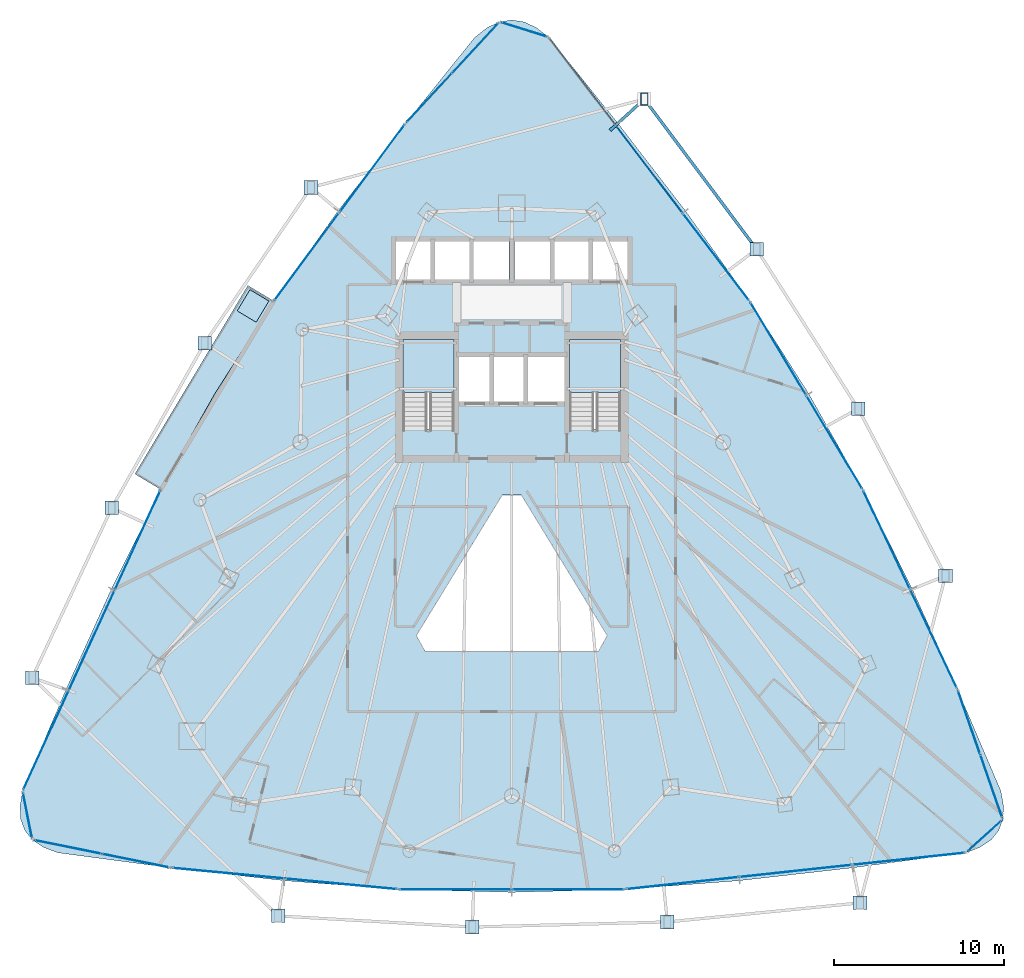
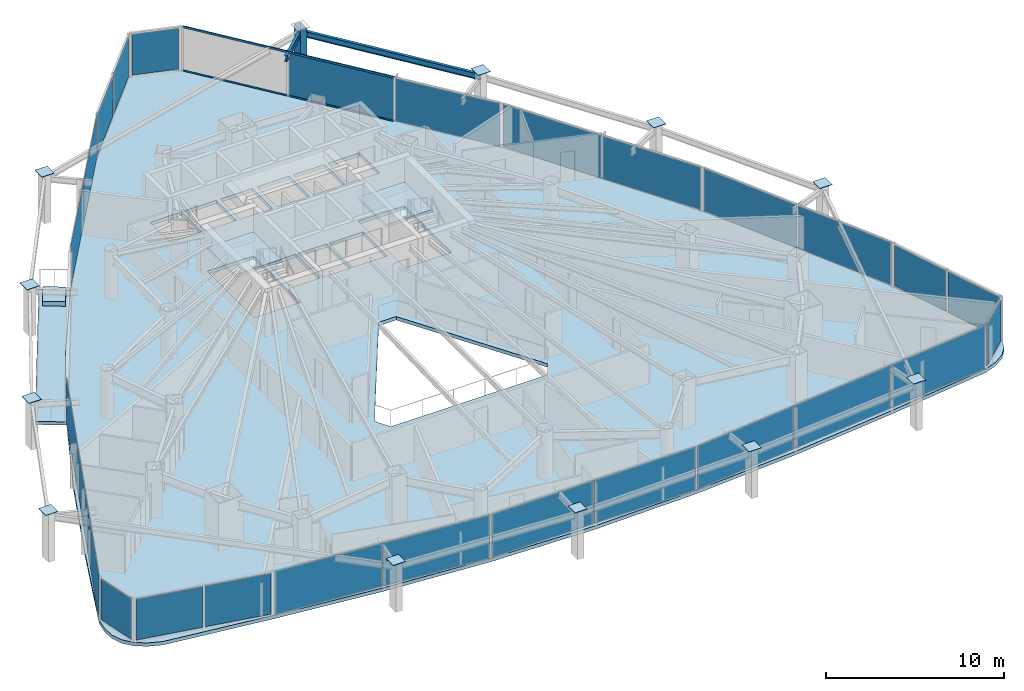
# One storey, part 28 of 35: 38 plates, 5 members, 5 slabs, 2 beams, 16 elements without a shape of their own.
"""IFC4 building model written with IfcOpenShell, lengths in metres."""

from ifc_helpers import new_model, si_unit, direction, frame, origin, origin_2d, place, context, subcontext, project, spatial, polyline, rectangle, hollow_rectangle, i_section, outline, extrude, material, layer, layer_set, material_profile, profile_set, type_object, element, aggregate, save


model = new_model("IFC4")

# Units and contexts
model_context = context("Model", 3, precision=1e-05, world=origin(), true_north=direction((0.0, 1.0)))
body_context = subcontext(model_context, "Body", "Model", "MODEL_VIEW")
ifc_project = project(units=[si_unit("LENGTHUNIT", "METRE"), si_unit("AREAUNIT", "SQUARE_METRE"), si_unit("VOLUMEUNIT", "CUBIC_METRE"), si_unit("PLANEANGLEUNIT", "RADIAN"), si_unit("MASSUNIT", "GRAM", prefix="KILO")], contexts=[model_context])

# Site, building, storey
site_placement = place(None, origin())
site = spatial("IfcSite", under=ifc_project, at=site_placement, CompositionType="ELEMENT")
building_placement = place(site_placement, origin())
building = spatial("IfcBuilding", under=site, at=building_placement, Name="Orvanel Arch Residences", CompositionType="ELEMENT")
storey_placement = place(building_placement, frame((0.0, 0.0, 40.10009765625)))
storey = spatial("IfcBuildingStorey", under=building, at=storey_placement, Name="L10", CompositionType="ELEMENT", Elevation=40.10009765625)

# Member
ifc_material_1 = material(Name="Structural steel AS/NZS 3678 Grade 350", Category="steel")
ifc_material_profile_1 = material_profile(ifc_material_1, hollow_rectangle(XDim=0.419921875, YDim=0.719970703125, WallThickness=0.02490234375, at=origin_2d()), Name="RHS720x420x25")
ifc_profile_set_1 = profile_set([ifc_material_profile_1], Name="Structural steel AS/NZS 3678 Grade 350")
member_type_1 = type_object("IfcMemberType", Name="CH-720RHS-EXT", PredefinedType="CHORD", material=ifc_profile_set_1)
member_1_placement = place(storey_placement, frame((40.794921875, 47.820068359375, 0.0), z_axis=(0.0, 0.0, 1.0), x_axis=(1.0, 0.0, 0.0)))
element("IfcMember", 1, at=member_1_placement, inside=storey, type_object=member_type_1, Name="L10 Outer Perimeter Frame Post 12", PredefinedType="CHORD", context=body_context, shape_type="SweptSolid", body=[
    extrude(hollow_rectangle(XDim=0.419921875, YDim=0.719970703125, WallThickness=0.02490234375, at=origin_2d()), origin(), (0.0, 0.0, 1.0), 3.2998046875),
])

# Beams
ifc_material_2 = material(Name="Structural steel AS/NZS 3679.1 Grade 300 (300 MPa)", Category="steel")
ifc_material_profile_2 = material_profile(ifc_material_2, i_section(OverallWidth=0.177978515625, OverallDepth=0.406005859375, WebThickness=0.0078125, FlangeThickness=0.0126953125, at=origin_2d()), Name="410UB59.7")
ifc_profile_set_2 = profile_set([ifc_material_profile_2], Name="Structural steel AS/NZS 3679.1 Grade 300 (300 MPa)")
beam_type = type_object("IfcBeamType", Name="OB-410UB-EXT", PredefinedType="SPANDREL", material=ifc_profile_set_2)
beam_1_placement = place(storey_placement, frame((47.39794921875, 38.992919921875, 2.85693359375), z_axis=(-0.598993156517, 0.800754143571, 0.0), x_axis=(-0.800754143571, -0.598993156517, 0.0)))
element("IfcBeam", 2, at=beam_1_placement, inside=storey, type_object=beam_type, Name="L10 Outer Perimeter Floor Ring Beam 11", PredefinedType="SPANDREL", context=body_context, shape_type="SweptSolid", body=[
    extrude(i_section(OverallWidth=0.177978515625, OverallDepth=0.406005859375, WebThickness=0.0078125, FlangeThickness=0.0126953125, at=origin_2d()), origin(), (0.0, 0.0, 1.0), 11.0234375),
])
beam_2_placement = place(storey_placement, frame((38.781005859375, 45.98291015625, 2.85693359375), z_axis=(0.738784017848, 0.673942263827, 0.0), x_axis=(-0.673942263827, 0.738784017848, 0.0)))
element("IfcBeam", 3, at=beam_2_placement, inside=storey, type_object=beam_type, Name="L10 Outer Frame Radial Tie Beam 12", PredefinedType="SPANDREL", context=body_context, shape_type="SweptSolid", body=[
    extrude(i_section(OverallWidth=0.177978515625, OverallDepth=0.406005859375, WebThickness=0.0078125, FlangeThickness=0.0126953125, at=origin_2d()), origin(), (0.0, 0.0, 1.0), 2.72607421875),
])

# Curtain wall, members
ifc_material_3 = material(Name="Bronze-anodised aluminium AA6063-T6", Category="aluminium")
ifc_layer_1 = layer(ifc_material_3, 0.179931640625)
ifc_layer_set_1 = layer_set([ifc_layer_1], Name="Bronze-anodised aluminium AA6063-T6")
curtain_wall_type_1 = type_object("IfcCurtainWallType", Name="CW2-LOW-SYS", PredefinedType="NOTDEFINED", material=ifc_layer_set_1)
curtain_wall_1_placement = place(storey_placement, origin())
curtain_wall_1 = element("IfcCurtainWall", 4, at=curtain_wall_1_placement, inside=storey, type_object=curtain_wall_type_1, Name="L10 CW2-LOW-SYS Unitised Curtain Wall", PredefinedType="NOTDEFINED")
ifc_material_profile_3 = material_profile(ifc_material_3, hollow_rectangle(XDim=0.06005859375, YDim=0.135009765625, WallThickness=0.00390625, at=origin_2d()), Name="ALU135x60x4")
ifc_profile_set_3 = profile_set([ifc_material_profile_3], Name="Bronze-anodised aluminium AA6063-T6")
member_type_2 = type_object("IfcMemberType", Name="TRN-135x60", PredefinedType="USERDEFINED", material=ifc_profile_set_3)
member_2_placement = place(storey_placement, frame((43.026123046875, 41.1484375, 0.02978515625), z_axis=(-0.606008829545, 0.7954579175, 0.0), x_axis=(-0.7954579175, -0.606008829545, 0.0)))
member_2 = element("IfcMember", 5, at=member_2_placement, type_object=member_type_2, Name="CW-S2 transom 2.1", ObjectType="TRANSOM", PredefinedType="USERDEFINED", context=body_context, shape_type="SweptSolid", body=[
    extrude(hollow_rectangle(XDim=0.06005859375, YDim=0.135009765625, WallThickness=0.00390625, at=origin_2d()), origin(), (0.0, 0.0, 1.0), 6.417724609375),
])
member_3_placement = place(storey_placement, frame((43.026123046875, 41.1484375, 3.02978515625), z_axis=(-0.606008829545, 0.7954579175, 0.0), x_axis=(-0.7954579175, -0.606008829545, 0.0)))
member_3 = element("IfcMember", 6, at=member_3_placement, type_object=member_type_2, Name="CW-S2 transom 2.2", ObjectType="TRANSOM", PredefinedType="USERDEFINED", context=body_context, shape_type="SweptSolid", body=[
    extrude(hollow_rectangle(XDim=0.06005859375, YDim=0.135009765625, WallThickness=0.00390625, at=origin_2d()), origin(), (0.0, 0.0, 1.0), 6.417724609375),
])
member_4_placement = place(storey_placement, frame((39.094482421875, 46.30908203125, 0.02978515625), z_axis=(-0.606029385985, 0.795442256435, 0.0), x_axis=(-0.795442256435, -0.606029385985, 0.0)))
member_4 = element("IfcMember", 7, at=member_4_placement, type_object=member_type_2, Name="CW-S2 transom 3.1", ObjectType="TRANSOM", PredefinedType="USERDEFINED", context=body_context, shape_type="SweptSolid", body=[
    extrude(hollow_rectangle(XDim=0.06005859375, YDim=0.135009765625, WallThickness=0.00390625, at=origin_2d()), origin(), (0.0, 0.0, 1.0), 6.3828125),
])
member_5_placement = place(storey_placement, frame((39.094482421875, 46.30908203125, 3.02978515625), z_axis=(-0.606029385985, 0.795442256435, 0.0), x_axis=(-0.795442256435, -0.606029385985, 0.0)))
member_5 = element("IfcMember", 8, at=member_5_placement, type_object=member_type_2, Name="CW-S2 transom 3.2", ObjectType="TRANSOM", PredefinedType="USERDEFINED", context=body_context, shape_type="SweptSolid", body=[
    extrude(hollow_rectangle(XDim=0.06005859375, YDim=0.135009765625, WallThickness=0.00390625, at=origin_2d()), origin(), (0.0, 0.0, 1.0), 6.3828125),
])

# Plates
ifc_layer_2 = layer(ifc_material_1, 0.031982421875)
ifc_layer_set_2 = layer_set([ifc_layer_2], Name="Structural steel AS/NZS 3678 Grade 350")
plate_type_1 = type_object("IfcPlateType", Name="PL-CAP-32", PredefinedType="SHEET", material=ifc_layer_set_2)
for number, where, z_axis, x_axis, name in (
    (9, (21.193115234375, 42.623046875, 3.28369140625), (0.0, 0.0, 1.0), (1.0, 0.0, 0.0), "L10 hollow member end cap plate"),
    (10, (14.93994140625, 33.469970703125, 3.28369140625), (0.0, 0.0, 1.0), (1.0, 0.0, 0.0), "L10 hollow member end cap plate"),
    (11, (9.47998046875, 23.785888671875, 3.28369140625), (0.0, 0.0, 1.0), (1.0, 0.0, 0.0), "L10 hollow member end cap plate"),
    (12, (4.801025390625, 13.804931640625, 3.28369140625), (0.0, 0.0, 1.0), (1.0, 0.0, 0.0), "L10 hollow member end cap plate"),
    (13, (19.259033203125, -0.2080078125, 3.28369140625), (0.0, 0.0, 1.0), (1.0, 0.0, 0.0), "L10 hollow member end cap plate"),
    (14, (30.681884765625, -0.861083984375, 3.28369140625), (0.0, 0.0, 1.0), (1.0, 0.0, 0.0), "L10 hollow member end cap plate"),
    (15, (42.14990234375, -0.56298828125, 3.28369140625), (0.0, 0.0, 1.0), (1.0, 0.0, 0.0), "L10 hollow member end cap plate"),
    (16, (53.47607421875, 0.55810546875, 3.28369140625), (0.0, 0.0, 1.0), (1.0, 0.0, 0.0), "L10 hollow member end cap plate"),
    (17, (58.501953125, 19.7919921875, 3.28369140625), (0.0, 0.0, 1.0), (1.0, 0.0, 0.0), "L10 hollow member end cap plate"),
    (18, (53.37109375, 29.616943359375, 3.28369140625), (0.0, 0.0, 1.0), (1.0, 0.0, 0.0), "L10 hollow member end cap plate"),
    (19, (47.39794921875, 38.992919921875, 3.28369140625), (0.0, 0.0, 1.0), (1.0, 0.0, 0.0), "L10 hollow member end cap plate"),
):
    element("IfcPlate", number, at=place(storey_placement, frame(where, z_axis=z_axis, x_axis=x_axis)), inside=storey, type_object=plate_type_1, Name=name, PredefinedType="SHEET", context=body_context, shape_type="SweptSolid", body=[
        extrude(rectangle(XDim=0.800048828125, YDim=0.800048828125, at=origin_2d()), origin(), (0.0, 0.0, 1.0), 0.031982421875),
    ])

# Curtain wall, plates
curtain_wall_2_placement = place(storey_placement, origin())
curtain_wall_2 = element("IfcCurtainWall", 20, at=curtain_wall_2_placement, inside=storey, type_object=curtain_wall_type_1, Name="L10 CW2-LOW-SYS Unitised Curtain Wall", PredefinedType="NOTDEFINED")
ifc_material_4 = material(Name="Double-glazed solar-control low-E safety glass", Category="glass")
ifc_layer_3 = layer(ifc_material_4, 0.028076171875)
ifc_layer_set_3 = layer_set([ifc_layer_3], Name="Double-glazed solar-control low-E safety glass")
plate_type_2 = type_object("IfcPlateType", Name="PNL-GLZ-28", PredefinedType="CURTAIN_PANEL", material=ifc_layer_set_3)
plate_1_placement = place(storey_placement, frame((24.7900390625, 43.745849609375, 0.059814453125), z_axis=(0.0, 0.0, 1.0), x_axis=(-0.595342095633, -0.803472332546, 0.0)))
plate_1 = element("IfcPlate", 21, at=plate_1_placement, type_object=plate_type_2, Name="CW-S2 panel 1.1", PredefinedType="CURTAIN_PANEL", context=body_context, shape_type="SweptSolid", body=[
    extrude(rectangle(XDim=6.366943359375, YDim=0.028076171875, at=origin_2d()), origin(), (0.0, 0.0, 1.0), 2.93994140625),
])
plate_2_placement = place(storey_placement, frame((20.9580078125, 38.573974609375, 0.059814453125), z_axis=(0.0, 0.0, 1.0), x_axis=(-0.595342095633, -0.803472332546, 0.0)))
plate_2 = element("IfcPlate", 22, at=plate_2_placement, type_object=plate_type_2, Name="CW-S2 panel 2.1", PredefinedType="CURTAIN_PANEL", context=body_context, shape_type="SweptSolid", body=[
    extrude(rectangle(XDim=6.366943359375, YDim=0.028076171875, at=origin_2d()), origin(), (0.0, 0.0, 1.0), 2.93994140625),
])
aggregate(curtain_wall_2, [plate_1, plate_2])

curtain_wall_3_placement = place(storey_placement, origin())
curtain_wall_3 = element("IfcCurtainWall", 23, at=curtain_wall_3_placement, inside=storey, type_object=curtain_wall_type_1, Name="L10 CW2-LOW-SYS Unitised Curtain Wall", PredefinedType="NOTDEFINED")
plate_3_placement = place(storey_placement, frame((10.99560546875, 21.879150390625, 0.059814453125), z_axis=(0.0, 0.0, 1.0), x_axis=(-0.416537940944, -0.909118333197, 0.0)))
plate_3 = element("IfcPlate", 24, at=plate_3_placement, type_object=plate_type_2, Name="CW-S2 panel 1.1", PredefinedType="CURTAIN_PANEL", context=body_context, shape_type="SweptSolid", body=[
    extrude(rectangle(XDim=6.382568359375, YDim=0.028076171875, at=origin_2d()), origin(), (0.0, 0.0, 1.0), 2.93994140625),
])
plate_4_placement = place(storey_placement, frame((8.300537109375, 15.9970703125, 0.059814453125), z_axis=(0.0, 0.0, 1.0), x_axis=(-0.416537940944, -0.909118333197, 0.0)))
plate_4 = element("IfcPlate", 25, at=plate_4_placement, type_object=plate_type_2, Name="CW-S2 panel 2.1", PredefinedType="CURTAIN_PANEL", context=body_context, shape_type="SweptSolid", body=[
    extrude(rectangle(XDim=6.417724609375, YDim=0.028076171875, at=origin_2d()), origin(), (0.0, 0.0, 1.0), 2.93994140625),
])
plate_5_placement = place(storey_placement, frame((5.60546875, 10.114990234375, 0.059814453125), z_axis=(0.0, 0.0, 1.0), x_axis=(-0.416537940944, -0.909118333197, 0.0)))
plate_5 = element("IfcPlate", 26, at=plate_5_placement, type_object=plate_type_2, Name="CW-S2 panel 3.1", PredefinedType="CURTAIN_PANEL", context=body_context, shape_type="SweptSolid", body=[
    extrude(rectangle(XDim=6.382568359375, YDim=0.028076171875, at=origin_2d()), origin(), (0.0, 0.0, 1.0), 2.93994140625),
])
aggregate(curtain_wall_3, [plate_3, plate_4, plate_5])

curtain_wall_4_placement = place(storey_placement, origin())
curtain_wall_4 = element("IfcCurtainWall", 27, at=curtain_wall_4_placement, inside=storey, type_object=curtain_wall_type_1, Name="L10 CW2-LOW-SYS Unitised Curtain Wall", PredefinedType="NOTDEFINED")
plate_6_placement = place(storey_placement, frame((16.333251953125, 2.2998046875, 0.059814453125), z_axis=(0.0, 0.0, 1.0), x_axis=(0.995566433353, -0.094061026895, 0.0)))
plate_6 = element("IfcPlate", 28, at=plate_6_placement, type_object=plate_type_2, Name="CW-S2 panel 1.1", PredefinedType="CURTAIN_PANEL", context=body_context, shape_type="SweptSolid", body=[
    extrude(rectangle(XDim=6.58203125, YDim=0.028076171875, at=origin_2d()), origin(), (0.0, 0.0, 1.0), 2.93994140625),
])
plate_7_placement = place(storey_placement, frame((22.955810546875, 1.674072265625, 0.059814453125), z_axis=(0.0, 0.0, 1.0), x_axis=(0.995566433353, -0.094061026895, 0.0)))
plate_7 = element("IfcPlate", 29, at=plate_7_placement, type_object=plate_type_2, Name="CW-S2 panel 2.1", PredefinedType="CURTAIN_PANEL", context=body_context, shape_type="SweptSolid", body=[
    extrude(rectangle(XDim=6.58203125, YDim=0.028076171875, at=origin_2d()), origin(), (0.0, 0.0, 1.0), 2.93994140625),
])
aggregate(curtain_wall_4, [plate_6, plate_7])

curtain_wall_5_placement = place(storey_placement, origin())
curtain_wall_5 = element("IfcCurtainWall", 30, at=curtain_wall_5_placement, inside=storey, type_object=curtain_wall_type_1, Name="L10 CW2-LOW-SYS Unitised Curtain Wall", PredefinedType="NOTDEFINED")
plate_8_placement = place(storey_placement, frame((29.6884765625, 1.35595703125, 0.059814453125), z_axis=(0.0, 0.0, 1.0), x_axis=(1.0, 0.0, 0.0)))
plate_8 = element("IfcPlate", 31, at=plate_8_placement, type_object=plate_type_2, Name="CW-S2 panel 1.1", PredefinedType="CURTAIN_PANEL", context=body_context, shape_type="SweptSolid", body=[
    extrude(rectangle(XDim=6.552978515625, YDim=0.028076171875, at=origin_2d()), origin(), (0.0, 0.0, 1.0), 2.93994140625),
])
plate_9_placement = place(storey_placement, frame((36.3115234375, 1.35595703125, 0.059814453125), z_axis=(0.0, 0.0, 1.0), x_axis=(1.0, 0.0, 0.0)))
plate_9 = element("IfcPlate", 32, at=plate_9_placement, type_object=plate_type_2, Name="CW-S2 panel 2.1", PredefinedType="CURTAIN_PANEL", context=body_context, shape_type="SweptSolid", body=[
    extrude(rectangle(XDim=6.552978515625, YDim=0.028076171875, at=origin_2d()), origin(), (0.0, 0.0, 1.0), 2.93994140625),
])
aggregate(curtain_wall_5, [plate_8, plate_9])

curtain_wall_6_placement = place(storey_placement, origin())
curtain_wall_6 = element("IfcCurtainWall", 33, at=curtain_wall_6_placement, inside=storey, type_object=curtain_wall_type_1, Name="L10 CW2-LOW-SYS Unitised Curtain Wall", PredefinedType="NOTDEFINED")
plate_10_placement = place(storey_placement, frame((43.047607421875, 1.71826171875, 0.059814453125), z_axis=(0.0, 0.0, 1.0), x_axis=(0.994267499998, 0.106921178668, 0.0)))
plate_10 = element("IfcPlate", 34, at=plate_10_placement, type_object=plate_type_2, Name="CW-S2 panel 1.1", PredefinedType="CURTAIN_PANEL", context=body_context, shape_type="SweptSolid", body=[
    extrude(rectangle(XDim=6.59765625, YDim=0.028076171875, at=origin_2d()), origin(), (0.0, 0.0, 1.0), 2.93994140625),
])
plate_11_placement = place(storey_placement, frame((49.694580078125, 2.43310546875, 0.059814453125), z_axis=(0.0, 0.0, 1.0), x_axis=(0.994267499998, 0.106921178668, 0.0)))
plate_11 = element("IfcPlate", 35, at=plate_11_placement, type_object=plate_type_2, Name="CW-S2 panel 2.1", PredefinedType="CURTAIN_PANEL", context=body_context, shape_type="SweptSolid", body=[
    extrude(rectangle(XDim=6.6328125, YDim=0.028076171875, at=origin_2d()), origin(), (0.0, 0.0, 1.0), 2.93994140625),
])
plate_12_placement = place(storey_placement, frame((56.341552734375, 3.147705078125, 0.059814453125), z_axis=(0.0, 0.0, 1.0), x_axis=(0.994267499998, 0.106921178668, 0.0)))
plate_12 = element("IfcPlate", 36, at=plate_12_placement, type_object=plate_type_2, Name="CW-S2 panel 3.1", PredefinedType="CURTAIN_PANEL", context=body_context, shape_type="SweptSolid", body=[
    extrude(rectangle(XDim=6.59765625, YDim=0.028076171875, at=origin_2d()), origin(), (0.0, 0.0, 1.0), 2.93994140625),
])
aggregate(curtain_wall_6, [plate_10, plate_11, plate_12])

curtain_wall_7_placement = place(storey_placement, origin())
curtain_wall_7 = element("IfcCurtainWall", 37, at=curtain_wall_7_placement, inside=storey, type_object=curtain_wall_type_1, Name="L10 CW2-LOW-SYS Unitised Curtain Wall", PredefinedType="NOTDEFINED")
plate_13_placement = place(storey_placement, frame((57.7998046875, 16.08935546875, 0.059814453125), z_axis=(0.0, 0.0, 1.0), x_axis=(-0.4285745037, 0.903506444237, 0.0)))
plate_13 = element("IfcPlate", 38, at=plate_13_placement, type_object=plate_type_2, Name="CW-S2 panel 1.1", PredefinedType="CURTAIN_PANEL", context=body_context, shape_type="SweptSolid", body=[
    extrude(rectangle(XDim=6.366455078125, YDim=0.028076171875, at=origin_2d()), origin(), (0.0, 0.0, 1.0), 2.93994140625),
])
plate_14_placement = place(storey_placement, frame((55.041259765625, 21.90478515625, 0.059814453125), z_axis=(0.0, 0.0, 1.0), x_axis=(-0.4285745037, 0.903506444237, 0.0)))
plate_14 = element("IfcPlate", 39, at=plate_14_placement, type_object=plate_type_2, Name="CW-S2 panel 2.1", PredefinedType="CURTAIN_PANEL", context=body_context, shape_type="SweptSolid", body=[
    extrude(rectangle(XDim=6.366455078125, YDim=0.028076171875, at=origin_2d()), origin(), (0.0, 0.0, 1.0), 2.93994140625),
])
aggregate(curtain_wall_7, [plate_13, plate_14])

curtain_wall_8_placement = place(storey_placement, origin())
curtain_wall_8 = element("IfcCurtainWall", 40, at=curtain_wall_8_placement, inside=storey, type_object=curtain_wall_type_1, Name="L10 CW2-LOW-SYS Unitised Curtain Wall", PredefinedType="NOTDEFINED")
plate_15_placement = place(storey_placement, frame((51.962158203125, 27.656005859375, 0.059814453125), z_axis=(0.0, 0.0, 1.0), x_axis=(-0.514393018326, 0.857554559604, 0.0)))
plate_15 = element("IfcPlate", 41, at=plate_15_placement, type_object=plate_type_2, Name="CW-S2 panel 1.1", PredefinedType="CURTAIN_PANEL", context=body_context, shape_type="SweptSolid", body=[
    extrude(rectangle(XDim=6.336669921875, YDim=0.028076171875, at=origin_2d()), origin(), (0.0, 0.0, 1.0), 2.93994140625),
])
plate_16_placement = place(storey_placement, frame((48.666748046875, 33.14990234375, 0.059814453125), z_axis=(0.0, 0.0, 1.0), x_axis=(-0.514393018326, 0.857554559604, 0.0)))
plate_16 = element("IfcPlate", 42, at=plate_16_placement, type_object=plate_type_2, Name="CW-S2 panel 2.1", PredefinedType="CURTAIN_PANEL", context=body_context, shape_type="SweptSolid", body=[
    extrude(rectangle(XDim=6.336669921875, YDim=0.028076171875, at=origin_2d()), origin(), (0.0, 0.0, 1.0), 2.93994140625),
])
aggregate(curtain_wall_8, [plate_15, plate_16])

# Plate
plate_17_placement = place(storey_placement, frame((45.00244140625, 38.55419921875, 0.059814453125), z_axis=(0.0, 0.0, 1.0), x_axis=(-0.606016898793, 0.795451769988, 0.0)))
plate_17 = element("IfcPlate", 43, at=plate_17_placement, type_object=plate_type_2, Name="CW-S2 panel 1.1", PredefinedType="CURTAIN_PANEL", context=body_context, shape_type="SweptSolid", body=[
    extrude(rectangle(XDim=6.3828125, YDim=0.028076171875, at=origin_2d()), origin(), (0.0, 0.0, 1.0), 2.93994140625),
])

plate_18_placement = place(storey_placement, frame((41.08154296875, 43.700927734375, 0.059814453125), z_axis=(0.0, 0.0, 1.0), x_axis=(-0.606016898793, 0.795451769988, 0.0)))
plate_18 = element("IfcPlate", 44, at=plate_18_placement, type_object=plate_type_2, Name="CW-S2 panel 2.1", PredefinedType="CURTAIN_PANEL", context=body_context, shape_type="SweptSolid", body=[
    extrude(rectangle(XDim=6.417724609375, YDim=0.028076171875, at=origin_2d()), origin(), (0.0, 0.0, 1.0), 2.93994140625),
])

aggregate(curtain_wall_1, [plate_17, member_2, member_3, plate_18, member_4, member_5])

# Curtain wall, plate
ifc_layer_4 = layer(ifc_material_3, 0.18994140625)
ifc_layer_set_4 = layer_set([ifc_layer_4], Name="Bronze-anodised aluminium AA6063-T6")
curtain_wall_type_2 = type_object("IfcCurtainWallType", Name="CW5-CRN-SYS", PredefinedType="NOTDEFINED", material=ifc_layer_set_4)
curtain_wall_9_placement = place(storey_placement, origin())
curtain_wall_9 = element("IfcCurtainWall", 45, at=curtain_wall_9_placement, inside=storey, type_object=curtain_wall_type_2, Name="L10 CW5-CRN-SYS Unitised Curtain Wall", PredefinedType="NOTDEFINED")
ifc_layer_5 = layer(ifc_material_4, 0.031982421875)
ifc_layer_set_5 = layer_set([ifc_layer_5], Name="Double-glazed solar-control low-E safety glass")
plate_type_3 = type_object("IfcPlateType", Name="PNL-GLZ-32", PredefinedType="CURTAIN_PANEL", material=ifc_layer_set_5)
plate_19_placement = place(storey_placement, frame((33.72412109375, 51.908935546875, 0.1298828125), z_axis=(0.0, 0.0, 1.0), x_axis=(-0.954776720929, 0.297323751443, 0.0)))
plate_19 = element("IfcPlate", 46, at=plate_19_placement, type_object=plate_type_3, Name="CW-S5 panel 1.1", PredefinedType="CURTAIN_PANEL", context=body_context, shape_type="SweptSolid", body=[
    extrude(rectangle(XDim=2.693359375, YDim=0.031982421875, at=origin_2d()), origin(), (0.0, 0.0, 1.0), 2.800048828125),
])
aggregate(curtain_wall_9, [plate_19])

# Curtain wall, plates
curtain_wall_10_placement = place(storey_placement, origin())
curtain_wall_10 = element("IfcCurtainWall", 47, at=curtain_wall_10_placement, inside=storey, type_object=curtain_wall_type_2, Name="L10 CW5-CRN-SYS Unitised Curtain Wall", PredefinedType="NOTDEFINED")
plate_20_placement = place(storey_placement, frame((30.859375, 50.828857421875, 0.1298828125), z_axis=(0.0, 0.0, 1.0), x_axis=(-0.679144949794, -0.734004180621, 0.0)))
plate_20 = element("IfcPlate", 48, at=plate_20_placement, type_object=plate_type_3, Name="CW-S5 panel 1.1", PredefinedType="CURTAIN_PANEL", context=body_context, shape_type="SweptSolid", body=[
    extrude(rectangle(XDim=3.830810546875, YDim=0.031982421875, at=origin_2d()), origin(), (0.0, 0.0, 1.0), 2.800048828125),
])
plate_21_placement = place(storey_placement, frame((28.15576171875, 47.906982421875, 0.1298828125), z_axis=(0.0, 0.0, 1.0), x_axis=(-0.679144949794, -0.734004180621, 0.0)))
plate_21 = element("IfcPlate", 49, at=plate_21_placement, type_object=plate_type_3, Name="CW-S5 panel 2.1", PredefinedType="CURTAIN_PANEL", context=body_context, shape_type="SweptSolid", body=[
    extrude(rectangle(XDim=3.830810546875, YDim=0.031982421875, at=origin_2d()), origin(), (0.0, 0.0, 1.0), 2.800048828125),
])
aggregate(curtain_wall_10, [plate_20, plate_21])

# Curtain wall, plate
curtain_wall_11_placement = place(storey_placement, origin())
curtain_wall_11 = element("IfcCurtainWall", 50, at=curtain_wall_11_placement, inside=storey, type_object=curtain_wall_type_2, Name="L10 CW5-CRN-SYS Unitised Curtain Wall", PredefinedType="NOTDEFINED")
plate_22_placement = place(storey_placement, frame((4.5244140625, 5.699462890625, 0.1298828125), z_axis=(0.0, 0.0, 1.0), x_axis=(0.195448483179, -0.98071396973, 0.0)))
plate_22 = element("IfcPlate", 51, at=plate_22_placement, type_object=plate_type_3, Name="CW-S5 panel 1.1", PredefinedType="CURTAIN_PANEL", context=body_context, shape_type="SweptSolid", body=[
    extrude(rectangle(XDim=2.58056640625, YDim=0.031982421875, at=origin_2d()), origin(), (0.0, 0.0, 1.0), 2.800048828125),
])
aggregate(curtain_wall_11, [plate_22])

# Curtain wall, plates
curtain_wall_12_placement = place(storey_placement, origin())
curtain_wall_12 = element("IfcCurtainWall", 52, at=curtain_wall_12_placement, inside=storey, type_object=curtain_wall_type_2, Name="L10 CW5-CRN-SYS Unitised Curtain Wall", PredefinedType="NOTDEFINED")
plate_23_placement = place(storey_placement, frame((6.89599609375, 3.84521484375, 0.1298828125), z_axis=(0.0, 0.0, 1.0), x_axis=(0.980169836434, -0.198159258538, 0.0)))
plate_23 = element("IfcPlate", 53, at=plate_23_placement, type_object=plate_type_3, Name="CW-S5 panel 1.1", PredefinedType="CURTAIN_PANEL", context=body_context, shape_type="SweptSolid", body=[
    extrude(rectangle(XDim=3.91552734375, YDim=0.031982421875, at=origin_2d()), origin(), (0.0, 0.0, 1.0), 2.800048828125),
])
plate_24_placement = place(storey_placement, frame((10.881103515625, 3.039794921875, 0.1298828125), z_axis=(0.0, 0.0, 1.0), x_axis=(0.980169836434, -0.198159258538, 0.0)))
plate_24 = element("IfcPlate", 54, at=plate_24_placement, type_object=plate_type_3, Name="CW-S5 panel 2.1", PredefinedType="CURTAIN_PANEL", context=body_context, shape_type="SweptSolid", body=[
    extrude(rectangle(XDim=3.91552734375, YDim=0.031982421875, at=origin_2d()), origin(), (0.0, 0.0, 1.0), 2.800048828125),
])
aggregate(curtain_wall_12, [plate_23, plate_24])

# Curtain wall, plate
curtain_wall_13_placement = place(storey_placement, origin())
curtain_wall_13 = element("IfcCurtainWall", 55, at=curtain_wall_13_placement, inside=storey, type_object=curtain_wall_type_2, Name="L10 CW5-CRN-SYS Unitised Curtain Wall", PredefinedType="NOTDEFINED")
plate_25_placement = place(storey_placement, frame((60.79248046875, 4.491943359375, 0.1298828125), z_axis=(0.0, 0.0, 1.0), x_axis=(0.740128454926, 0.672465516, 0.0)))
plate_25 = element("IfcPlate", 56, at=plate_25_placement, type_object=plate_type_3, Name="CW-S5 panel 1.1", PredefinedType="CURTAIN_PANEL", context=body_context, shape_type="SweptSolid", body=[
    extrude(rectangle(XDim=2.58203125, YDim=0.031982421875, at=origin_2d()), origin(), (0.0, 0.0, 1.0), 2.800048828125),
])
aggregate(curtain_wall_13, [plate_25])

# Curtain wall, plates
curtain_wall_14_placement = place(storey_placement, origin())
curtain_wall_14 = element("IfcCurtainWall", 57, at=curtain_wall_14_placement, inside=storey, type_object=curtain_wall_type_2, Name="L10 CW5-CRN-SYS Unitised Curtain Wall", PredefinedType="NOTDEFINED")
plate_26_placement = place(storey_placement, frame((61.1904296875, 7.433349609375, 0.1298828125), z_axis=(0.0, 0.0, 1.0), x_axis=(-0.329246265169, 0.94424408755, 0.0)))
plate_26 = element("IfcPlate", 58, at=plate_26_placement, type_object=plate_type_3, Name="CW-S5 panel 1.1", PredefinedType="CURTAIN_PANEL", context=body_context, shape_type="SweptSolid", body=[
    extrude(rectangle(XDim=3.81005859375, YDim=0.031982421875, at=origin_2d()), origin(), (0.0, 0.0, 1.0), 2.800048828125),
])
plate_27_placement = place(storey_placement, frame((59.88671875, 11.172607421875, 0.1298828125), z_axis=(0.0, 0.0, 1.0), x_axis=(-0.329246265169, 0.94424408755, 0.0)))
plate_27 = element("IfcPlate", 59, at=plate_27_placement, type_object=plate_type_3, Name="CW-S5 panel 2.1", PredefinedType="CURTAIN_PANEL", context=body_context, shape_type="SweptSolid", body=[
    extrude(rectangle(XDim=3.81005859375, YDim=0.031982421875, at=origin_2d()), origin(), (0.0, 0.0, 1.0), 2.800048828125),
])
aggregate(curtain_wall_14, [plate_26, plate_27])

# Slab
ifc_material_5 = material(Name="Concrete N40 (40 MPa)", Category="concrete")
ifc_layer_6 = layer(ifc_material_5, 0.215087890625)
ifc_layer_set_6 = layer_set([ifc_layer_6], Name="Concrete N40 (40 MPa)")
slab_type_1 = type_object("IfcSlabType", Name="SLB-BAL-215", PredefinedType="FLOOR", material=ifc_layer_set_6)
slab_1_placement = place(storey_placement, frame((0.0, 0.0, -0.215087890625)))
element("IfcSlab", 60, at=slab_1_placement, inside=storey, type_object=slab_type_1, Name="L10 Cantilevered Balcony Slab Face 1", PredefinedType="FLOOR", context=body_context, shape_type="SweptSolid", body=[
    extrude(outline(polyline([(17.48291015625, 36.860107421875), (10.8359375, 25.778076171875), (12.362060546875, 24.862060546875), (15.533935546875, 30.493896484375), (19.009033203125, 35.944091796875), (17.48291015625, 36.860107421875)])), origin(), (0.0, 0.0, 1.0), 0.215087890625),
])

# Stair, slab
ifc_material_6 = material(Name="Precast concrete N50 (50 MPa)", Category="concrete")
stair_type = type_object("IfcStairType", Name="STR-DOG-184", PredefinedType="USERDEFINED", material=ifc_material_6)
stair_1_placement = place(storey_placement, origin())
stair_1 = element("IfcStair", 61, at=stair_1_placement, inside=storey, type_object=stair_type, Name="L10 Fire-Isolated Core Exit Stair 1", ObjectType="TWO_RETURN_STAIR", PredefinedType="USERDEFINED")
ifc_layer_7 = layer(ifc_material_5, 0.199951171875)
ifc_layer_set_7 = layer_set([ifc_layer_7], Name="Concrete N40 (40 MPa)")
slab_type_2 = type_object("IfcSlabType", Name="SLB-LND-200", PredefinedType="LANDING", material=ifc_layer_set_7)
slab_2_placement = place(storey_placement, frame((0.0, 0.0, 1.449951171875)))
slab_2 = element("IfcSlab", 62, at=slab_2_placement, type_object=slab_type_2, Name="ST-1 landing 1", PredefinedType="LANDING", context=body_context, shape_type="SweptSolid", body=[
    extrude(outline(polyline([(29.60009765625, 30.56005859375), (29.60009765625, 33.699951171875), (26.60009765625, 33.699951171875), (26.60009765625, 30.56005859375), (29.60009765625, 30.56005859375)])), origin(), (0.0, 0.0, 1.0), 0.199951171875),
])
aggregate(stair_1, [slab_2])

stair_2_placement = place(storey_placement, origin())
stair_2 = element("IfcStair", 63, at=stair_2_placement, inside=storey, type_object=stair_type, Name="L10 Fire-Isolated Core Exit Stair 2", ObjectType="TWO_RETURN_STAIR", PredefinedType="USERDEFINED")
slab_3_placement = place(storey_placement, frame((0.0, 0.0, 1.449951171875)))
slab_3 = element("IfcSlab", 64, at=slab_3_placement, type_object=slab_type_2, Name="ST-2 landing 1", PredefinedType="LANDING", context=body_context, shape_type="SweptSolid", body=[
    extrude(outline(polyline([(39.39990234375, 30.56005859375), (39.39990234375, 33.699951171875), (36.39990234375, 33.699951171875), (36.39990234375, 30.56005859375), (39.39990234375, 30.56005859375)])), origin(), (0.0, 0.0, 1.0), 0.199951171875),
])
aggregate(stair_2, [slab_3])

# Slabs
ifc_material_7 = material(Name="Structural architectural precast concrete N40 (40 MPa) planter", Category="concrete")
ifc_layer_8 = layer(ifc_material_7, 0.320068359375)
ifc_layer_set_8 = layer_set([ifc_layer_8], Name="Structural architectural precast concrete N40 (40 MPa) planter")
slab_type_3 = type_object("IfcSlabType", Name="SLB-PLN-320", PredefinedType="USERDEFINED", material=ifc_layer_set_8)
slab_4_placement = place(storey_placement, origin())
element("IfcSlab", 65, at=slab_4_placement, inside=storey, type_object=slab_type_3, Name="L10 Balcony TREE PLANTER Face 1", ObjectType="PLANTER", PredefinedType="USERDEFINED", context=body_context, shape_type="SweptSolid", body=[
    extrude(outline(polyline([(17.60302734375, 36.613037109375), (16.85693359375, 35.368896484375), (17.971923828125, 34.699951171875), (18.718017578125, 35.944091796875), (17.60302734375, 36.613037109375)])), origin(), (0.0, 0.0, 1.0), 0.31982421875),
])
ifc_layer_9 = layer(ifc_material_5, 0.239990234375)
ifc_layer_set_9 = layer_set([ifc_layer_9], Name="Concrete N40 (40 MPa)")
slab_type_4 = type_object("IfcSlabType", Name="SLB-TYP-240", PredefinedType="FLOOR", material=ifc_layer_set_9)
slab_5_placement = place(storey_placement, frame((0.0, 0.0, -0.239990234375)))
element("IfcSlab", 66, at=slab_5_placement, inside=storey, type_object=slab_type_4, Name="L10 Tower Floor Slab", PredefinedType="FLOOR", context=body_context, shape_type="SweptSolid", body=[
    extrude(outline(polyline([(35.172119140625, 51.4580078125), (34.447998046875, 52.02197265625), (33.72412109375, 52.360107421875), (33.0, 52.471923828125), (32.27587890625, 52.360107421875), (31.552001953125, 52.02197265625), (30.827880859375, 51.4580078125), (26.739013671875, 46.3759765625), (22.76708984375, 41.22509765625), (19.009033203125, 35.944091796875), (15.533935546875, 30.493896484375), (12.362060546875, 24.862060546875), (9.471923828125, 19.06103515625), (6.797119140625, 13.132080078125), (4.239013671875, 7.132080078125), (4.0830078125, 6.24609375), (4.1259765625, 5.47412109375), (4.368896484375, 4.81396484375), (4.81005859375, 4.26708984375), (5.449951171875, 3.83203125), (6.2890625, 3.510009765625), (12.967041015625, 2.617919921875), (19.64501953125, 1.861083984375), (26.322021484375, 1.35595703125), (33.0, 1.177978515625), (39.677978515625, 1.35595703125), (46.35498046875, 1.861083984375), (53.032958984375, 2.617919921875), (59.7109375, 3.510009765625), (60.550048828125, 3.83203125), (61.18994140625, 4.26708984375), (61.631103515625, 4.81396484375), (61.8740234375, 5.47412109375), (61.9169921875, 6.24609375), (61.760986328125, 7.132080078125), (59.202880859375, 13.132080078125), (56.528076171875, 19.06103515625), (53.637939453125, 24.862060546875), (50.466064453125, 30.493896484375), (46.990966796875, 35.944091796875), (43.23291015625, 41.22509765625), (39.260986328125, 46.3759765625), (35.172119140625, 51.4580078125)]), holes=[polyline([(26.60009765625, 28.429931640625), (26.60009765625, 33.699951171875), (29.60009765625, 33.699951171875), (29.60009765625, 28.429931640625), (26.60009765625, 28.429931640625)]), polyline([(36.39990234375, 28.429931640625), (36.39990234375, 33.699951171875), (39.39990234375, 33.699951171875), (39.39990234375, 28.429931640625), (36.39990234375, 28.429931640625)]), polyline([(29.89990234375, 32.64990234375), (31.75, 32.64990234375), (31.75, 29.949951171875), (29.89990234375, 29.949951171875), (29.89990234375, 32.64990234375)]), polyline([(31.89990234375, 32.64990234375), (33.75, 32.64990234375), (33.75, 29.949951171875), (31.89990234375, 29.949951171875), (31.89990234375, 32.64990234375)]), polyline([(33.89990234375, 32.64990234375), (36.10009765625, 32.64990234375), (36.10009765625, 29.949951171875), (33.89990234375, 29.949951171875), (33.89990234375, 32.64990234375)]), polyline([(26.199951171875, 39.449951171875), (28.25, 39.449951171875), (28.25, 37.199951171875), (26.199951171875, 37.199951171875), (26.199951171875, 39.449951171875)]), polyline([(37.75, 39.449951171875), (39.800048828125, 39.449951171875), (39.800048828125, 37.199951171875), (37.75, 37.199951171875), (37.75, 39.449951171875)]), polyline([(28.449951171875, 39.449951171875), (30.5, 39.449951171875), (30.5, 37.199951171875), (28.449951171875, 37.199951171875), (28.449951171875, 39.449951171875)]), polyline([(35.5, 39.449951171875), (37.550048828125, 39.449951171875), (37.550048828125, 37.199951171875), (35.5, 37.199951171875), (35.5, 39.449951171875)]), polyline([(30.75, 39.449951171875), (32.85009765625, 39.449951171875), (32.85009765625, 37.199951171875), (30.75, 37.199951171875), (30.75, 39.449951171875)]), polyline([(33.14990234375, 39.449951171875), (35.25, 39.449951171875), (35.25, 37.199951171875), (33.14990234375, 37.199951171875), (33.14990234375, 39.449951171875)]), polyline([(38.616943359375, 16.27294921875), (38.094970703125, 15.342041015625), (27.905029296875, 15.342041015625), (27.383056640625, 16.27294921875), (32.430908203125, 24.531005859375), (33.569091796875, 24.531005859375), (38.616943359375, 16.27294921875)])]), origin(), (0.0, 0.0, 1.0), 0.239990234375),
])

save(model, "model.ifc")
